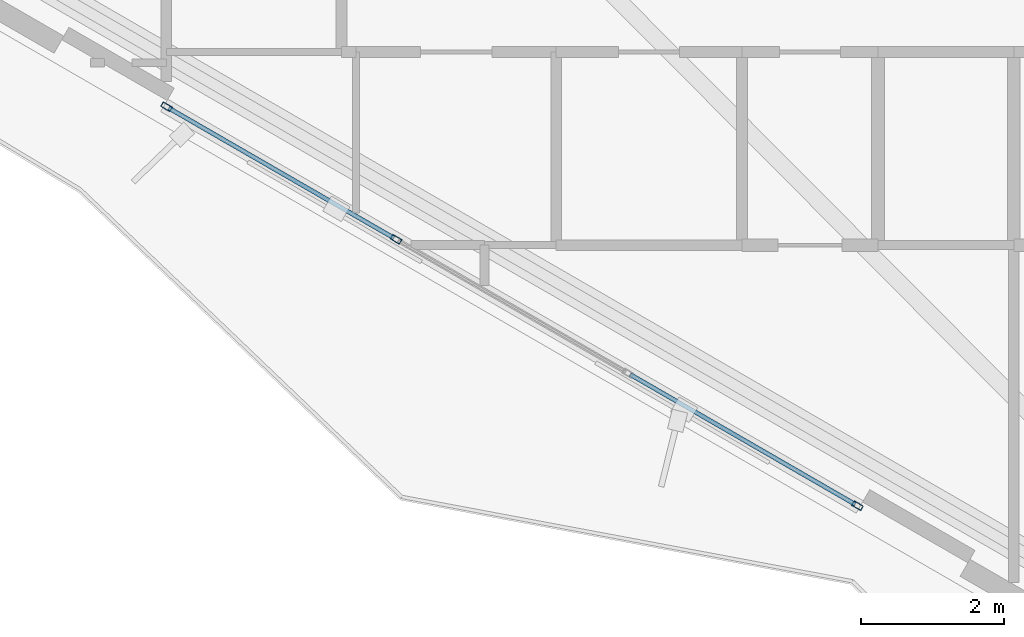
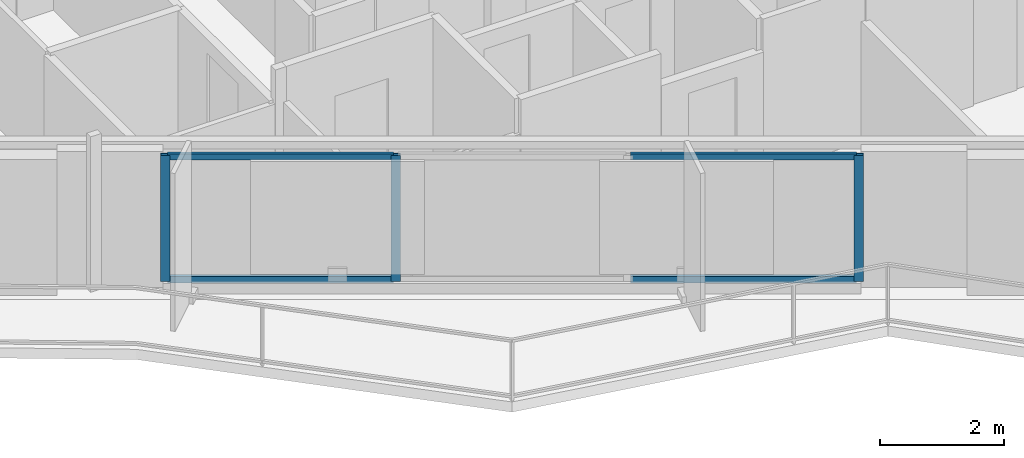
# One storey, part 2 of 23: 7 members, 1 element without a shape of its own.
"""IFC4 building model written with IfcOpenShell, lengths in metres."""

import ifcopenshell
import ifcopenshell.guid

model = None  # the IFC model being written
_history = None  # IfcOwnerHistory: only IFC2X3 demands one
_inside = {}  # id of a spatial element -> (the spatial element, [elements in it])
_under = {}  # id of a project, library or spatial element -> (it, [spatial elements below it])
_declared = {}  # id of a project -> (the project, [libraries it declares])
_typed = {}  # id of a type object -> (the type object, [elements of that type])
_made_of = {}  # id of a material, layer set ... -> (it, [elements and type objects made of it])


def new_model(schema):
    """Start an empty IFC model of exactly this schema.

    Asked for "IFC4X3", IfcOpenShell would pick the latest addendum, in which some entities
    have other attributes; the version numbers below select the first issue.
    IFC2X3 requires an IfcOwnerHistory on every rooted entity: one is made here for all.
    """
    global model, _history
    if schema == "IFC4X3":
        model = ifcopenshell.file(schema_version=(4, 3, 0, 0))
    else:
        model = ifcopenshell.file(schema=schema)
    _inside.clear()
    _under.clear()
    _declared.clear()
    _typed.clear()
    _made_of.clear()
    _history = None
    if model.schema == "IFC2X3":
        org = make("IfcOrganization", Name="unknown")
        user = make(
            "IfcPersonAndOrganization",
            ThePerson=make("IfcPerson", FamilyName="unknown"),
            TheOrganization=org,
        )
        app = make(
            "IfcApplication",
            ApplicationDeveloper=org,
            Version="unknown",
            ApplicationFullName="unknown",
            ApplicationIdentifier="unknown",
        )
        _history = make(
            "IfcOwnerHistory",
            OwningUser=user,
            OwningApplication=app,
            ChangeAction="ADDED",
            CreationDate=0,
        )
    return model


def make(cls, **values):
    """One entity of the class cls with the attributes given. An attribute that is None is left unset."""
    return model.create_entity(
        cls, **{name: value for name, value in values.items() if value is not None}
    )


def rooted(cls, **values):
    """An entity with a GlobalId (a new one), such as an element, a storey or a relation."""
    return make(cls, GlobalId=ifcopenshell.guid.new(), OwnerHistory=_history, **values)


def si_unit(unit_type, name, prefix=None):
    """IfcSIUnit, for example si_unit("LENGTHUNIT", "METRE", prefix="MILLI")."""
    return make("IfcSIUnit", UnitType=unit_type, Prefix=prefix, Name=name)


def assignment(units):
    """IfcUnitAssignment: the units of a project."""
    return None if units is None else make("IfcUnitAssignment", Units=units)


def point(xyz):
    """IfcCartesianPoint."""
    return None if xyz is None else make("IfcCartesianPoint", Coordinates=xyz)


def direction(xyz):
    """IfcDirection."""
    return None if xyz is None else make("IfcDirection", DirectionRatios=xyz)


def frame(location, z_axis=None, x_axis=None):
    """IfcAxis2Placement3D, a coordinate frame: its origin and axes. An axis left out is left unset."""
    return make(
        "IfcAxis2Placement3D",
        Location=point(location),
        Axis=direction(z_axis),
        RefDirection=direction(x_axis),
    )


def frame_2d(location, x_axis=None):
    """IfcAxis2Placement2D, a coordinate frame in the plane: its origin and x axis."""
    return make(
        "IfcAxis2Placement2D", Location=point(location), RefDirection=direction(x_axis)
    )


def origin():
    """The frame at (0, 0, 0) with its axes left unset."""
    return frame((0.0, 0.0, 0.0))


def origin_2d():
    """The frame at (0, 0) in the plane with its x axis left unset."""
    return frame_2d((0.0, 0.0))


def place(relative_to, where):
    """IfcLocalPlacement: puts the frame where relative to a parent placement (None: the world)."""
    return make(
        "IfcLocalPlacement", PlacementRelTo=relative_to, RelativePlacement=where
    )


def context(
    kind, dimensions, precision=None, world=None, true_north=None, identifier=None
):
    """IfcGeometricRepresentationContext, for example the 3D "Model" context."""
    return make(
        "IfcGeometricRepresentationContext",
        ContextIdentifier=identifier,
        ContextType=kind,
        CoordinateSpaceDimension=dimensions,
        Precision=precision,
        WorldCoordinateSystem=world,
        TrueNorth=true_north,
    )


def subcontext(parent, identifier, kind, view, scale=None):
    """IfcGeometricRepresentationSubContext, for example "Body" below "Model"."""
    return make(
        "IfcGeometricRepresentationSubContext",
        ContextIdentifier=identifier,
        ContextType=kind,
        ParentContext=parent,
        TargetScale=scale,
        TargetView=view,
    )


def project(units=None, contexts=None):
    """IfcProject with its units and contexts."""
    return rooted(
        "IfcProject",
        Name="project",
        RepresentationContexts=contexts,
        UnitsInContext=assignment(units),
    )


def spatial(cls, under=None, at=None, **own):
    """A site, building, storey or space (cls), placed at a placement, below another one or the project."""
    s = rooted(cls, ObjectPlacement=at, **own)
    if under is not None:
        _under.setdefault(under.id(), (under, []))[1].append(s)
    return s


def profile(cls, at=None, kind="AREA", **sizes):
    """A parametric profile (cls). Its sizes go by their IFC names, for example OverallWidth=200.0."""
    return make(cls, ProfileType=kind, Position=at, **sizes)


def hollow_rectangle(**sizes):
    """IfcRectangleHollowProfileDef."""
    return profile("IfcRectangleHollowProfileDef", **sizes)


def extrude(swept, where, along, depth):
    """IfcExtrudedAreaSolid: the profile swept, set in the frame where, extruded along a direction by depth."""
    return make(
        "IfcExtrudedAreaSolid",
        SweptArea=swept,
        Position=where,
        ExtrudedDirection=direction(along),
        Depth=depth,
    )


def shape(context_of_items, identifier, shape_type, items):
    """IfcShapeRepresentation: the items that make up one representation, for example the "Body"."""
    return make(
        "IfcShapeRepresentation",
        ContextOfItems=context_of_items,
        RepresentationIdentifier=identifier,
        RepresentationType=shape_type,
        Items=items,
    )


def material(Name=None, Category=None):
    """IfcMaterial."""
    return make("IfcMaterial", Name=Name, Category=Category)


def layer(
    of_material, thickness, ventilated=None, Name=None, Category=None, Priority=None
):
    """IfcMaterialLayer: one layer of a wall or slab, of a material (None: an air gap)."""
    return make(
        "IfcMaterialLayer",
        Material=of_material,
        LayerThickness=thickness,
        IsVentilated=ventilated,
        Name=Name,
        Category=Category,
        Priority=Priority,
    )


def layer_set(layers, Name=None):
    """IfcMaterialLayerSet."""
    return make("IfcMaterialLayerSet", MaterialLayers=layers, LayerSetName=Name)


def material_profile(
    of_material, cross_section, Name=None, Category=None, Priority=None
):
    """IfcMaterialProfile: a cross section and its material."""
    return make(
        "IfcMaterialProfile",
        Name=Name,
        Material=of_material,
        Profile=cross_section,
        Priority=Priority,
        Category=Category,
    )


def profile_set(profiles, Name=None, composite=None):
    """IfcMaterialProfileSet."""
    return make(
        "IfcMaterialProfileSet",
        Name=Name,
        MaterialProfiles=profiles,
        CompositeProfile=composite,
    )


def made_of(thing, what):
    """Note that an element or type object is made of a material, layer set ...; save() writes the relation."""
    if what is not None:
        _made_of.setdefault(what.id(), (what, []))[1].append(thing)
    return thing


def type_object(cls, material=None, **own):
    """A type object (cls), such as IfcWallType, which elements share."""
    return made_of(rooted(cls, **own), material)


def element(
    cls,
    number,
    at=None,
    inside=None,
    cuts=None,
    type_object=None,
    material=None,
    context=None,
    identifier="Body",
    shape_type=None,
    held_by="IfcProductDefinitionShape",
    body=None,
    shapes=None,
    **own,
):
    """One element of the class cls, such as IfcWall. Its Tag is "e" and its number.

    at: its placement. inside: the storey or other place that contains it. cuts: it is an
    opening in that element (IfcRelVoidsElement). A single representation is given by context,
    identifier, shape_type and body (its items); several are given by shapes. held_by: the class
    of the entity that holds the representations. save() writes the other relations.
    """
    e = rooted(cls, Tag="e%d" % number, ObjectPlacement=at, **own)
    if body is not None:
        shapes = [shape(context, identifier, shape_type, body)]
    if shapes is not None:
        e.Representation = make(held_by, Representations=shapes)
    if inside is not None:
        _inside.setdefault(inside.id(), (inside, []))[1].append(e)
    if cuts is not None:
        rooted(
            "IfcRelVoidsElement", RelatingBuildingElement=cuts, RelatedOpeningElement=e
        )
    if type_object is not None:
        _typed.setdefault(type_object.id(), (type_object, []))[1].append(e)
    return made_of(e, material)


def aggregate(whole, parts):
    """IfcRelAggregates: a whole, such as a stair, and the parts it consists of."""
    return rooted("IfcRelAggregates", RelatingObject=whole, RelatedObjects=parts)


def save(model, path):
    """Write the relations noted so far, then the file.

    IfcRelAggregates (storeys below a building ...), IfcRelContainedInSpatialStructure (elements
    in a storey), IfcRelDefinesByType, IfcRelAssociatesMaterial and IfcRelDeclares: one each for
    every whole, place, type object, material and project.
    """
    for whole, parts in _under.values():
        aggregate(whole, parts)
    for where, things in _inside.values():
        rooted(
            "IfcRelContainedInSpatialStructure",
            RelatedElements=things,
            RelatingStructure=where,
        )
    for kind, things in _typed.values():
        rooted("IfcRelDefinesByType", RelatedObjects=things, RelatingType=kind)
    for what, things in _made_of.values():
        rooted("IfcRelAssociatesMaterial", RelatedObjects=things, RelatingMaterial=what)
    for by, libraries in _declared.values():
        rooted("IfcRelDeclares", RelatingContext=by, RelatedDefinitions=libraries)
    model.write(path)


model = new_model("IFC4")

# Units and contexts
model_context = context("Model", 3, precision=1e-05, world=origin(), true_north=direction((0.0, 1.0)))
body_context = subcontext(model_context, "Body", "Model", "MODEL_VIEW")
ifc_project = project(units=[si_unit("LENGTHUNIT", "METRE"), si_unit("AREAUNIT", "SQUARE_METRE"), si_unit("VOLUMEUNIT", "CUBIC_METRE"), si_unit("PLANEANGLEUNIT", "RADIAN"), si_unit("MASSUNIT", "GRAM", prefix="KILO")], contexts=[model_context])

# Site, building, storey
site_placement = place(None, origin())
site = spatial("IfcSite", under=ifc_project, at=site_placement, CompositionType="ELEMENT")
building_placement = place(site_placement, origin())
building = spatial("IfcBuilding", under=site, at=building_placement, Name="Mersakhor Tower and Convention Hall", CompositionType="ELEMENT")
storey_placement = place(building_placement, frame((0.0, 0.0, 73.5)))
storey = spatial("IfcBuildingStorey", under=building, at=storey_placement, Name="L19", CompositionType="ELEMENT", Elevation=73.5)

# Curtain wall, members
ifc_material_1 = material(Name="Dark solar low-E aluminium curtain wall", Category="aluminium")
ifc_layer = layer(ifc_material_1, 0.159912109375)
ifc_layer_set = layer_set([ifc_layer], Name="Dark solar low-E aluminium curtain wall")
curtain_wall_type = type_object("IfcCurtainWallType", Name="CW-SYS-01", PredefinedType="USERDEFINED", material=ifc_layer_set)
curtain_wall_placement = place(storey_placement, origin())
curtain_wall = element("IfcCurtainWall", 1, at=curtain_wall_placement, inside=storey, type_object=curtain_wall_type, Name="L19 Dark-Glass Curtain Wall F3-B2", ObjectType="CURTAIN WALL", PredefinedType="USERDEFINED")
ifc_material_2 = material(Name="Anodised aluminium EN AW-6063 T6", Category="aluminium")
ifc_material_profile_1 = material_profile(ifc_material_2, hollow_rectangle(XDim=0.074951171875, YDim=0.14990234375, WallThickness=0.00634765625, at=origin_2d()), Name="RHS 150x75x6.3")
ifc_profile_set_1 = profile_set([ifc_material_profile_1], Name="Anodised aluminium EN AW-6063 T6")
member_type_1 = type_object("IfcMemberType", Name="CWM-150x75", PredefinedType="MULLION", material=ifc_profile_set_1)
member_1_placement = place(storey_placement, frame((26.812744140625, 11.80712890625, 0.199951171875), z_axis=(0.0, 0.0, 1.0), x_axis=(-0.499997904985, -0.866026613339, 0.0)))
member_1 = element("IfcMember", 2, at=member_1_placement, type_object=member_type_1, Name="CW-01 mullion 1", PredefinedType="MULLION", context=body_context, shape_type="SweptSolid", body=[
    extrude(hollow_rectangle(XDim=0.074951171875, YDim=0.14990234375, WallThickness=0.00634765625, at=origin_2d()), origin(), (0.0, 0.0, 1.0), 2.469970703125),
])
member_2_placement = place(storey_placement, frame((20.36181640625, 15.531494140625, 0.199951171875), z_axis=(0.0, 0.0, 1.0), x_axis=(-0.499997904985, -0.866026613339, 0.0)))
member_2 = element("IfcMember", 3, at=member_2_placement, type_object=member_type_1, Name="CW-01 mullion 3", PredefinedType="MULLION", context=body_context, shape_type="SweptSolid", body=[
    extrude(hollow_rectangle(XDim=0.074951171875, YDim=0.14990234375, WallThickness=0.00634765625, at=origin_2d()), origin(), (0.0, 0.0, 1.0), 2.469970703125),
])
member_3_placement = place(storey_placement, frame((17.152587890625, 17.38427734375, 0.199951171875), z_axis=(0.0, 0.0, 1.0), x_axis=(-0.499997904985, -0.866026613339, 0.0)))
member_3 = element("IfcMember", 4, at=member_3_placement, type_object=member_type_1, Name="CW-01 mullion 4", PredefinedType="MULLION", context=body_context, shape_type="SweptSolid", body=[
    extrude(hollow_rectangle(XDim=0.074951171875, YDim=0.14990234375, WallThickness=0.00634765625, at=origin_2d()), origin(), (0.0, 0.0, 1.0), 2.469970703125),
])
ifc_material_3 = material(Name="Anodised aluminium EN AW-6063 T6", Category="aluminium")
ifc_material_profile_2 = material_profile(ifc_material_3, hollow_rectangle(XDim=0.06005859375, YDim=0.1201171875, WallThickness=0.0048828125, at=origin_2d()), Name="RHS 120x60x5")
ifc_profile_set_2 = profile_set([ifc_material_profile_2], Name="Anodised aluminium EN AW-6063 T6")
member_type_2 = type_object("IfcMemberType", Name="CWT-120x60", PredefinedType="USERDEFINED", material=ifc_profile_set_2)
member_4_placement = place(storey_placement, frame((26.7802734375, 11.82568359375, 0.22998046875), z_axis=(-0.866016497289, 0.500015426185, 0.0), x_axis=(-0.500015426185, -0.866016497289, 0.0)))
member_4 = element("IfcMember", 5, at=member_4_placement, type_object=member_type_2, Name="CW-01 transom 1.1", ObjectType="TRANSOM", PredefinedType="USERDEFINED", context=body_context, shape_type="SweptSolid", body=[
    extrude(hollow_rectangle(XDim=0.06005859375, YDim=0.1201171875, WallThickness=0.0048828125, at=origin_2d()), origin(), (0.0, 0.0, 1.0), 3.630859375),
])
member_5_placement = place(storey_placement, frame((26.7802734375, 11.82568359375, 2.639892578125), z_axis=(-0.866016497289, 0.500015426185, 0.0), x_axis=(-0.500015426185, -0.866016497289, 0.0)))
member_5 = element("IfcMember", 6, at=member_5_placement, type_object=member_type_2, Name="CW-01 transom 1.2", ObjectType="TRANSOM", PredefinedType="USERDEFINED", context=body_context, shape_type="SweptSolid", body=[
    extrude(hollow_rectangle(XDim=0.06005859375, YDim=0.1201171875, WallThickness=0.0048828125, at=origin_2d()), origin(), (0.0, 0.0, 1.0), 3.630859375),
])
member_6_placement = place(storey_placement, frame((20.329345703125, 15.55029296875, 0.22998046875), z_axis=(-0.866045614266, 0.499964992784, 0.0), x_axis=(-0.499964992784, -0.866045614266, 0.0)))
member_6 = element("IfcMember", 7, at=member_6_placement, type_object=member_type_2, Name="CW-01 transom 3.1", ObjectType="TRANSOM", PredefinedType="USERDEFINED", context=body_context, shape_type="SweptSolid", body=[
    extrude(hollow_rectangle(XDim=0.06005859375, YDim=0.1201171875, WallThickness=0.0048828125, at=origin_2d()), origin(), (0.0, 0.0, 1.0), 3.630615234375),
])
member_7_placement = place(storey_placement, frame((20.329345703125, 15.55029296875, 2.639892578125), z_axis=(-0.866045614266, 0.499964992784, 0.0), x_axis=(-0.499964992784, -0.866045614266, 0.0)))
member_7 = element("IfcMember", 8, at=member_7_placement, type_object=member_type_2, Name="CW-01 transom 3.2", ObjectType="TRANSOM", PredefinedType="USERDEFINED", context=body_context, shape_type="SweptSolid", body=[
    extrude(hollow_rectangle(XDim=0.06005859375, YDim=0.1201171875, WallThickness=0.0048828125, at=origin_2d()), origin(), (0.0, 0.0, 1.0), 3.630615234375),
])
aggregate(curtain_wall, [member_1, member_2, member_3, member_4, member_5, member_6, member_7])

save(model, "model.ifc")
